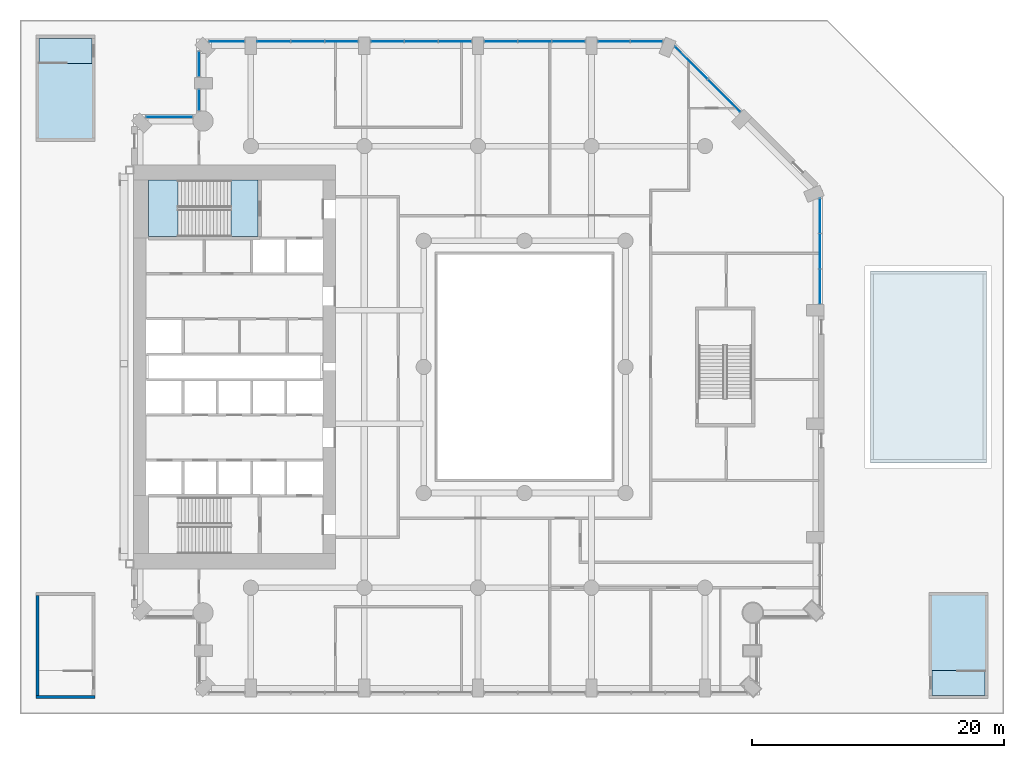
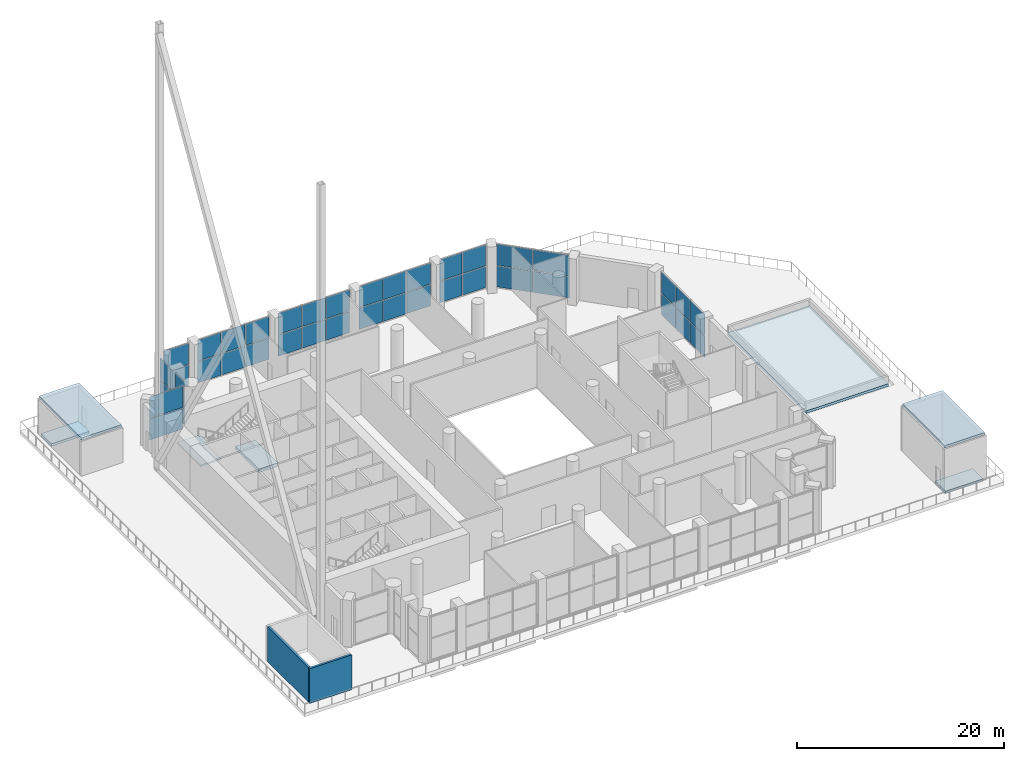
# One storey, part 12 of 26: 40 plates, 7 slabs, 2 walls, 11 elements without a shape of their own.
"""IFC4 building model written with IfcOpenShell, lengths in metres."""

from ifc_helpers import new_model, si_unit, direction, frame, frame_2d, origin, origin_2d, place, context, subcontext, project, spatial, polyline, rectangle, outline, extrude, material, layer, layer_set, type_object, element, aggregate, save


model = new_model("IFC4")

# Units and contexts
model_context = context("Model", 3, precision=1e-05, world=origin(), true_north=direction((0.0, 1.0)))
body_context = subcontext(model_context, "Body", "Model", "MODEL_VIEW")
ifc_project = project(units=[si_unit("LENGTHUNIT", "METRE"), si_unit("AREAUNIT", "SQUARE_METRE"), si_unit("VOLUMEUNIT", "CUBIC_METRE"), si_unit("PLANEANGLEUNIT", "RADIAN"), si_unit("MASSUNIT", "GRAM", prefix="KILO")], contexts=[model_context])

# Site, building, storey
site_placement = place(None, origin())
site = spatial("IfcSite", under=ifc_project, at=site_placement, CompositionType="ELEMENT")
building_placement = place(site_placement, origin())
building = spatial("IfcBuilding", under=site, at=building_placement, Name="Cypress Arch Tower", CompositionType="ELEMENT")
storey_placement = place(building_placement, frame((0.0, 0.0, 50.0)))
storey = spatial("IfcBuildingStorey", under=building, at=storey_placement, Name="L06", CompositionType="ELEMENT", Elevation=50.0)

# Slabs
ifc_material_1 = material(Name="Concrete C40/50", Category="concrete")
ifc_layer_1 = layer(ifc_material_1, 0.300048828125)
ifc_layer_set_1 = layer_set([ifc_layer_1], Name="Core floor CF300")
slab_type_1 = type_object("IfcSlabType", Name="Core floor CF300", PredefinedType="FLOOR", material=ifc_layer_set_1)
slab_1_placement = place(storey_placement, frame((0.0, 0.0, -0.300048828125)))
element("IfcSlab", 1, at=slab_1_placement, inside=storey, type_object=slab_type_1, Name="Stair floor landing", PredefinedType="FLOOR", context=body_context, shape_type="SweptSolid", body=[
    extrude(outline(polyline([(-37.5, 26.050048828125), (-37.5, 24.050048828125), (-33.300048828125, 24.050048828125), (-33.300048828125, 26.050048828125), (-37.5, 26.050048828125)])), origin(), (0.0, 0.0, 1.0), 0.300048828125),
])
slab_2_placement = place(storey_placement, frame((0.0, 0.0, -0.300048828125)))
element("IfcSlab", 2, at=slab_2_placement, inside=storey, type_object=slab_type_1, Name="Stair floor landing", PredefinedType="FLOOR", context=body_context, shape_type="SweptSolid", body=[
    extrude(outline(polyline([(37.5, -26.050048828125), (37.5, -24.050048828125), (33.300048828125, -24.050048828125), (33.300048828125, -26.050048828125), (37.5, -26.050048828125)])), origin(), (0.0, 0.0, 1.0), 0.300048828125),
])
ifc_material_2 = material(Name="Concrete C40/50", Category="concrete")
ifc_layer_2 = layer(ifc_material_2, 0.404052734375)
ifc_layer_set_2 = layer_set([ifc_layer_2], Name="Core floor CF404")
slab_type_2 = type_object("IfcSlabType", Name="Core floor CF404", PredefinedType="FLOOR", material=ifc_layer_set_2)
slab_3_placement = place(storey_placement, frame((0.0, 0.0, -0.404052734375)))
element("IfcSlab", 3, at=slab_3_placement, inside=storey, type_object=slab_type_2, Name="Core floor", PredefinedType="FLOOR", context=body_context, shape_type="SweptSolid", body=[
    extrude(outline(polyline([(-20.125, 14.800048828125), (-22.27490234375, 14.800048828125), (-22.27490234375, 10.324951171875), (-20.125, 10.324951171875), (-20.125, 14.800048828125)])), origin(), (0.0, 0.0, 1.0), 0.404052734375),
])
ifc_material_3 = material(Name="Concrete C50/60", Category="concrete")
ifc_layer_3 = layer(ifc_material_3, 0.300048828125)
ifc_layer_set_3 = layer_set([ifc_layer_3], Name="East core roof CR300")
slab_type_3 = type_object("IfcSlabType", Name="East core roof CR300", PredefinedType="ROOF", material=ifc_layer_set_3)
slab_4_placement = place(storey_placement, frame((0.0, 0.0, -0.300048828125)))
element("IfcSlab", 4, at=slab_4_placement, inside=storey, type_object=slab_type_3, Name="East core roof", PredefinedType="ROOF", context=body_context, shape_type="SweptSolid", body=[
    extrude(outline(polyline([(37.60009765625, -7.60009765625), (37.60009765625, 7.60009765625), (28.39990234375, 7.60009765625), (28.39990234375, -7.60009765625), (37.60009765625, -7.60009765625)])), origin(), (0.0, 0.0, 1.0), 0.300048828125),
])

# Curtain wall, plates
ifc_material_4 = material(Name="Anodised aluminium, bronze finish, solar control laminated double glazing", Category="aluminium")
curtain_wall_type = type_object("IfcCurtainWallType", Name="Curtain wall CW3 sky lobby glazing", PredefinedType="NOTDEFINED", material=ifc_material_4)
curtain_wall_1_placement = place(storey_placement, origin())
curtain_wall_1 = element("IfcCurtainWall", 5, at=curtain_wall_1_placement, inside=storey, type_object=curtain_wall_type, Name="Curtain wall L06 A06.3.1", PredefinedType="NOTDEFINED")
ifc_material_5 = material(Name="Solar control laminated double glazing", Category="glass")
ifc_layer_4 = layer(ifc_material_5, 0.0439453125)
ifc_layer_set_4 = layer_set([ifc_layer_4], Name="Glass panel CW3 44")
plate_type = type_object("IfcPlateType", Name="Glass panel CW3 44", PredefinedType="CURTAIN_PANEL", material=ifc_layer_set_4)
plate_1_placement = place(storey_placement, frame((24.39990234375, 6.375244140625, 0.0751953125), z_axis=(0.0, 0.0, 1.0), x_axis=(0.0, 1.0, 0.0)))
plate_1 = element("IfcPlate", 6, at=plate_1_placement, type_object=plate_type, Name="CW3 panel 1.1", PredefinedType="CURTAIN_PANEL", context=body_context, shape_type="SweptSolid", body=[
    extrude(rectangle(XDim=2.700439453125, YDim=0.0439453125, at=origin_2d()), origin(), (0.0, 0.0, 1.0), 2.487548828125),
])
plate_2_placement = place(storey_placement, frame((24.39990234375, 6.375244140625, 2.6376953125), z_axis=(0.0, 0.0, 1.0), x_axis=(0.0, 1.0, 0.0)))
plate_2 = element("IfcPlate", 7, at=plate_2_placement, type_object=plate_type, Name="CW3 panel 1.2", PredefinedType="CURTAIN_PANEL", context=body_context, shape_type="SweptSolid", body=[
    extrude(rectangle(XDim=2.700439453125, YDim=0.0439453125, at=origin_2d()), origin(), (0.0, 0.0, 1.0), 2.487548828125),
])
plate_3_placement = place(storey_placement, frame((24.39990234375, 9.16943359375, 0.0751953125), z_axis=(0.0, 0.0, 1.0), x_axis=(0.0, 1.0, 0.0)))
plate_3 = element("IfcPlate", 8, at=plate_3_placement, type_object=plate_type, Name="CW3 panel 2.1", PredefinedType="CURTAIN_PANEL", context=body_context, shape_type="SweptSolid", body=[
    extrude(rectangle(XDim=2.73779296875, YDim=0.0439453125, at=origin_2d()), origin(), (0.0, 0.0, 1.0), 2.487548828125),
])
plate_4_placement = place(storey_placement, frame((24.39990234375, 9.16943359375, 2.6376953125), z_axis=(0.0, 0.0, 1.0), x_axis=(0.0, 1.0, 0.0)))
plate_4 = element("IfcPlate", 9, at=plate_4_placement, type_object=plate_type, Name="CW3 panel 2.2", PredefinedType="CURTAIN_PANEL", context=body_context, shape_type="SweptSolid", body=[
    extrude(rectangle(XDim=2.73779296875, YDim=0.0439453125, at=origin_2d()), origin(), (0.0, 0.0, 1.0), 2.487548828125),
])
plate_5_placement = place(storey_placement, frame((24.39990234375, 11.96337890625, 0.0751953125), z_axis=(0.0, 0.0, 1.0), x_axis=(0.0, 1.0, 0.0)))
plate_5 = element("IfcPlate", 10, at=plate_5_placement, type_object=plate_type, Name="CW3 panel 3.1", PredefinedType="CURTAIN_PANEL", context=body_context, shape_type="SweptSolid", body=[
    extrude(rectangle(XDim=2.700439453125, YDim=0.0439453125, at=origin_2d()), origin(), (0.0, 0.0, 1.0), 2.487548828125),
])
plate_6_placement = place(storey_placement, frame((24.39990234375, 11.96337890625, 2.6376953125), z_axis=(0.0, 0.0, 1.0), x_axis=(0.0, 1.0, 0.0)))
plate_6 = element("IfcPlate", 11, at=plate_6_placement, type_object=plate_type, Name="CW3 panel 3.2", PredefinedType="CURTAIN_PANEL", context=body_context, shape_type="SweptSolid", body=[
    extrude(rectangle(XDim=2.700439453125, YDim=0.0439453125, at=origin_2d()), origin(), (0.0, 0.0, 1.0), 2.487548828125),
])
aggregate(curtain_wall_1, [plate_1, plate_2, plate_3, plate_4, plate_5, plate_6])

curtain_wall_2_placement = place(storey_placement, origin())
curtain_wall_2 = element("IfcCurtainWall", 12, at=curtain_wall_2_placement, inside=storey, type_object=curtain_wall_type, Name="Curtain wall L06 A07.1.1", PredefinedType="NOTDEFINED")
plate_7_placement = place(storey_placement, frame((16.814697265625, 21.50244140625, 0.0751953125), z_axis=(0.0, 0.0, 1.0), x_axis=(-0.707106781187, 0.707106781187, 0.0)))
plate_7 = element("IfcPlate", 13, at=plate_7_placement, type_object=plate_type, Name="CW3 panel 1.1", PredefinedType="CURTAIN_PANEL", context=body_context, shape_type="SweptSolid", body=[
    extrude(rectangle(XDim=3.599365234375, YDim=0.0439453125, at=origin_2d()), origin(), (0.0, 0.0, 1.0), 2.487548828125),
])
plate_8_placement = place(storey_placement, frame((16.814697265625, 21.50244140625, 2.6376953125), z_axis=(0.0, 0.0, 1.0), x_axis=(-0.707106781187, 0.707106781187, 0.0)))
plate_8 = element("IfcPlate", 14, at=plate_8_placement, type_object=plate_type, Name="CW3 panel 1.2", PredefinedType="CURTAIN_PANEL", context=body_context, shape_type="SweptSolid", body=[
    extrude(rectangle(XDim=3.599365234375, YDim=0.0439453125, at=origin_2d()), origin(), (0.0, 0.0, 1.0), 2.487548828125),
])
plate_9_placement = place(storey_placement, frame((14.216552734375, 24.1005859375, 0.0751953125), z_axis=(0.0, 0.0, 1.0), x_axis=(-0.707106781187, 0.707106781187, 0.0)))
plate_9 = element("IfcPlate", 15, at=plate_9_placement, type_object=plate_type, Name="CW3 panel 2.1", PredefinedType="CURTAIN_PANEL", context=body_context, shape_type="SweptSolid", body=[
    extrude(rectangle(XDim=3.599365234375, YDim=0.0439453125, at=origin_2d()), origin(), (0.0, 0.0, 1.0), 2.487548828125),
])
plate_10_placement = place(storey_placement, frame((14.216552734375, 24.1005859375, 2.6376953125), z_axis=(0.0, 0.0, 1.0), x_axis=(-0.707106781187, 0.707106781187, 0.0)))
plate_10 = element("IfcPlate", 16, at=plate_10_placement, type_object=plate_type, Name="CW3 panel 2.2", PredefinedType="CURTAIN_PANEL", context=body_context, shape_type="SweptSolid", body=[
    extrude(rectangle(XDim=3.599365234375, YDim=0.0439453125, at=origin_2d()), origin(), (0.0, 0.0, 1.0), 2.487548828125),
])
aggregate(curtain_wall_2, [plate_7, plate_8, plate_9, plate_10])

curtain_wall_3_placement = place(storey_placement, origin())
curtain_wall_3 = element("IfcCurtainWall", 17, at=curtain_wall_3_placement, inside=storey, type_object=curtain_wall_type, Name="Curtain wall L06 A08.0.1", PredefinedType="NOTDEFINED")
plate_11_placement = place(storey_placement, frame((10.66015625, 25.800048828125, 0.0751953125), z_axis=(0.0, 0.0, 1.0), x_axis=(-1.0, 0.0, 0.0)))
plate_11 = element("IfcPlate", 18, at=plate_11_placement, type_object=plate_type, Name="CW3 panel 1.1", PredefinedType="CURTAIN_PANEL", context=body_context, shape_type="SweptSolid", body=[
    extrude(rectangle(XDim=2.5068359375, YDim=0.0439453125, at=origin_2d()), origin(), (0.0, 0.0, 1.0), 2.487548828125),
])
plate_12_placement = place(storey_placement, frame((10.66015625, 25.800048828125, 2.6376953125), z_axis=(0.0, 0.0, 1.0), x_axis=(-1.0, 0.0, 0.0)))
plate_12 = element("IfcPlate", 19, at=plate_12_placement, type_object=plate_type, Name="CW3 panel 1.2", PredefinedType="CURTAIN_PANEL", context=body_context, shape_type="SweptSolid", body=[
    extrude(rectangle(XDim=2.5068359375, YDim=0.0439453125, at=origin_2d()), origin(), (0.0, 0.0, 1.0), 2.487548828125),
])
plate_13_placement = place(storey_placement, frame((8.078369140625, 25.800048828125, 0.0751953125), z_axis=(0.0, 0.0, 1.0), x_axis=(-1.0, 0.0, 0.0)))
plate_13 = element("IfcPlate", 20, at=plate_13_placement, type_object=plate_type, Name="CW3 panel 2.1", PredefinedType="CURTAIN_PANEL", context=body_context, shape_type="SweptSolid", body=[
    extrude(rectangle(XDim=2.5068359375, YDim=0.0439453125, at=origin_2d()), origin(), (0.0, 0.0, 1.0), 2.487548828125),
])
plate_14_placement = place(storey_placement, frame((8.078369140625, 25.800048828125, 2.6376953125), z_axis=(0.0, 0.0, 1.0), x_axis=(-1.0, 0.0, 0.0)))
plate_14 = element("IfcPlate", 21, at=plate_14_placement, type_object=plate_type, Name="CW3 panel 2.2", PredefinedType="CURTAIN_PANEL", context=body_context, shape_type="SweptSolid", body=[
    extrude(rectangle(XDim=2.5068359375, YDim=0.0439453125, at=origin_2d()), origin(), (0.0, 0.0, 1.0), 2.487548828125),
])
aggregate(curtain_wall_3, [plate_11, plate_12, plate_13, plate_14])

curtain_wall_4_placement = place(storey_placement, origin())
curtain_wall_4 = element("IfcCurtainWall", 22, at=curtain_wall_4_placement, inside=storey, type_object=curtain_wall_type, Name="Curtain wall L06 A08.1.1", PredefinedType="NOTDEFINED")
plate_15_placement = place(storey_placement, frame((4.481201171875, 25.800048828125, 0.0751953125), z_axis=(0.0, 0.0, 1.0), x_axis=(-1.0, 0.0, 0.0)))
plate_15 = element("IfcPlate", 23, at=plate_15_placement, type_object=plate_type, Name="CW3 panel 1.1", PredefinedType="CURTAIN_PANEL", context=body_context, shape_type="SweptSolid", body=[
    extrude(rectangle(XDim=2.58740234375, YDim=0.0439453125, at=origin_2d()), origin(), (0.0, 0.0, 1.0), 2.487548828125),
])
plate_16_placement = place(storey_placement, frame((4.481201171875, 25.800048828125, 2.6376953125), z_axis=(0.0, 0.0, 1.0), x_axis=(-1.0, 0.0, 0.0)))
plate_16 = element("IfcPlate", 24, at=plate_16_placement, type_object=plate_type, Name="CW3 panel 1.2", PredefinedType="CURTAIN_PANEL", context=body_context, shape_type="SweptSolid", body=[
    extrude(rectangle(XDim=2.58740234375, YDim=0.0439453125, at=origin_2d()), origin(), (0.0, 0.0, 1.0), 2.487548828125),
])
plate_17_placement = place(storey_placement, frame((1.800048828125, 25.800048828125, 0.0751953125), z_axis=(0.0, 0.0, 1.0), x_axis=(-1.0, 0.0, 0.0)))
plate_17 = element("IfcPlate", 25, at=plate_17_placement, type_object=plate_type, Name="CW3 panel 2.1", PredefinedType="CURTAIN_PANEL", context=body_context, shape_type="SweptSolid", body=[
    extrude(rectangle(XDim=2.625, YDim=0.0439453125, at=origin_2d()), origin(), (0.0, 0.0, 1.0), 2.487548828125),
])
plate_18_placement = place(storey_placement, frame((1.800048828125, 25.800048828125, 2.6376953125), z_axis=(0.0, 0.0, 1.0), x_axis=(-1.0, 0.0, 0.0)))
plate_18 = element("IfcPlate", 26, at=plate_18_placement, type_object=plate_type, Name="CW3 panel 2.2", PredefinedType="CURTAIN_PANEL", context=body_context, shape_type="SweptSolid", body=[
    extrude(rectangle(XDim=2.625, YDim=0.0439453125, at=origin_2d()), origin(), (0.0, 0.0, 1.0), 2.487548828125),
])
plate_19_placement = place(storey_placement, frame((-0.88134765625, 25.800048828125, 0.0751953125), z_axis=(0.0, 0.0, 1.0), x_axis=(-1.0, 0.0, 0.0)))
plate_19 = element("IfcPlate", 27, at=plate_19_placement, type_object=plate_type, Name="CW3 panel 3.1", PredefinedType="CURTAIN_PANEL", context=body_context, shape_type="SweptSolid", body=[
    extrude(rectangle(XDim=2.58740234375, YDim=0.0439453125, at=origin_2d()), origin(), (0.0, 0.0, 1.0), 2.487548828125),
])
plate_20_placement = place(storey_placement, frame((-0.88134765625, 25.800048828125, 2.6376953125), z_axis=(0.0, 0.0, 1.0), x_axis=(-1.0, 0.0, 0.0)))
plate_20 = element("IfcPlate", 28, at=plate_20_placement, type_object=plate_type, Name="CW3 panel 3.2", PredefinedType="CURTAIN_PANEL", context=body_context, shape_type="SweptSolid", body=[
    extrude(rectangle(XDim=2.58740234375, YDim=0.0439453125, at=origin_2d()), origin(), (0.0, 0.0, 1.0), 2.487548828125),
])
aggregate(curtain_wall_4, [plate_15, plate_16, plate_17, plate_18, plate_19, plate_20])

curtain_wall_5_placement = place(storey_placement, origin())
curtain_wall_5 = element("IfcCurtainWall", 29, at=curtain_wall_5_placement, inside=storey, type_object=curtain_wall_type, Name="Curtain wall L06 A08.2.1", PredefinedType="NOTDEFINED")
plate_21_placement = place(storey_placement, frame((-4.518798828125, 25.800048828125, 0.0751953125), z_axis=(0.0, 0.0, 1.0), x_axis=(-1.0, 0.0, 0.0)))
plate_21 = element("IfcPlate", 30, at=plate_21_placement, type_object=plate_type, Name="CW3 panel 1.1", PredefinedType="CURTAIN_PANEL", context=body_context, shape_type="SweptSolid", body=[
    extrude(rectangle(XDim=2.58740234375, YDim=0.0439453125, at=origin_2d()), origin(), (0.0, 0.0, 1.0), 2.487548828125),
])
plate_22_placement = place(storey_placement, frame((-4.518798828125, 25.800048828125, 2.6376953125), z_axis=(0.0, 0.0, 1.0), x_axis=(-1.0, 0.0, 0.0)))
plate_22 = element("IfcPlate", 31, at=plate_22_placement, type_object=plate_type, Name="CW3 panel 1.2", PredefinedType="CURTAIN_PANEL", context=body_context, shape_type="SweptSolid", body=[
    extrude(rectangle(XDim=2.58740234375, YDim=0.0439453125, at=origin_2d()), origin(), (0.0, 0.0, 1.0), 2.487548828125),
])
plate_23_placement = place(storey_placement, frame((-7.199951171875, 25.800048828125, 0.0751953125), z_axis=(0.0, 0.0, 1.0), x_axis=(-1.0, 0.0, 0.0)))
plate_23 = element("IfcPlate", 32, at=plate_23_placement, type_object=plate_type, Name="CW3 panel 2.1", PredefinedType="CURTAIN_PANEL", context=body_context, shape_type="SweptSolid", body=[
    extrude(rectangle(XDim=2.625, YDim=0.0439453125, at=origin_2d()), origin(), (0.0, 0.0, 1.0), 2.487548828125),
])
plate_24_placement = place(storey_placement, frame((-7.199951171875, 25.800048828125, 2.6376953125), z_axis=(0.0, 0.0, 1.0), x_axis=(-1.0, 0.0, 0.0)))
plate_24 = element("IfcPlate", 33, at=plate_24_placement, type_object=plate_type, Name="CW3 panel 2.2", PredefinedType="CURTAIN_PANEL", context=body_context, shape_type="SweptSolid", body=[
    extrude(rectangle(XDim=2.625, YDim=0.0439453125, at=origin_2d()), origin(), (0.0, 0.0, 1.0), 2.487548828125),
])
plate_25_placement = place(storey_placement, frame((-9.88134765625, 25.800048828125, 0.0751953125), z_axis=(0.0, 0.0, 1.0), x_axis=(-1.0, 0.0, 0.0)))
plate_25 = element("IfcPlate", 34, at=plate_25_placement, type_object=plate_type, Name="CW3 panel 3.1", PredefinedType="CURTAIN_PANEL", context=body_context, shape_type="SweptSolid", body=[
    extrude(rectangle(XDim=2.58740234375, YDim=0.0439453125, at=origin_2d()), origin(), (0.0, 0.0, 1.0), 2.487548828125),
])
plate_26_placement = place(storey_placement, frame((-9.88134765625, 25.800048828125, 2.6376953125), z_axis=(0.0, 0.0, 1.0), x_axis=(-1.0, 0.0, 0.0)))
plate_26 = element("IfcPlate", 35, at=plate_26_placement, type_object=plate_type, Name="CW3 panel 3.2", PredefinedType="CURTAIN_PANEL", context=body_context, shape_type="SweptSolid", body=[
    extrude(rectangle(XDim=2.58740234375, YDim=0.0439453125, at=origin_2d()), origin(), (0.0, 0.0, 1.0), 2.487548828125),
])
aggregate(curtain_wall_5, [plate_21, plate_22, plate_23, plate_24, plate_25, plate_26])

curtain_wall_6_placement = place(storey_placement, origin())
curtain_wall_6 = element("IfcCurtainWall", 36, at=curtain_wall_6_placement, inside=storey, type_object=curtain_wall_type, Name="Curtain wall L06 A08.3.1", PredefinedType="NOTDEFINED")
plate_27_placement = place(storey_placement, frame((-13.518798828125, 25.800048828125, 0.0751953125), z_axis=(0.0, 0.0, 1.0), x_axis=(-1.0, 0.0, 0.0)))
plate_27 = element("IfcPlate", 37, at=plate_27_placement, type_object=plate_type, Name="CW3 panel 1.1", PredefinedType="CURTAIN_PANEL", context=body_context, shape_type="SweptSolid", body=[
    extrude(rectangle(XDim=2.58740234375, YDim=0.0439453125, at=origin_2d()), origin(), (0.0, 0.0, 1.0), 2.487548828125),
])
plate_28_placement = place(storey_placement, frame((-13.518798828125, 25.800048828125, 2.6376953125), z_axis=(0.0, 0.0, 1.0), x_axis=(-1.0, 0.0, 0.0)))
plate_28 = element("IfcPlate", 38, at=plate_28_placement, type_object=plate_type, Name="CW3 panel 1.2", PredefinedType="CURTAIN_PANEL", context=body_context, shape_type="SweptSolid", body=[
    extrude(rectangle(XDim=2.58740234375, YDim=0.0439453125, at=origin_2d()), origin(), (0.0, 0.0, 1.0), 2.487548828125),
])
plate_29_placement = place(storey_placement, frame((-16.199951171875, 25.800048828125, 0.0751953125), z_axis=(0.0, 0.0, 1.0), x_axis=(-1.0, 0.0, 0.0)))
plate_29 = element("IfcPlate", 39, at=plate_29_placement, type_object=plate_type, Name="CW3 panel 2.1", PredefinedType="CURTAIN_PANEL", context=body_context, shape_type="SweptSolid", body=[
    extrude(rectangle(XDim=2.625, YDim=0.0439453125, at=origin_2d()), origin(), (0.0, 0.0, 1.0), 2.487548828125),
])
plate_30_placement = place(storey_placement, frame((-16.199951171875, 25.800048828125, 2.6376953125), z_axis=(0.0, 0.0, 1.0), x_axis=(-1.0, 0.0, 0.0)))
plate_30 = element("IfcPlate", 40, at=plate_30_placement, type_object=plate_type, Name="CW3 panel 2.2", PredefinedType="CURTAIN_PANEL", context=body_context, shape_type="SweptSolid", body=[
    extrude(rectangle(XDim=2.625, YDim=0.0439453125, at=origin_2d()), origin(), (0.0, 0.0, 1.0), 2.487548828125),
])
plate_31_placement = place(storey_placement, frame((-18.88134765625, 25.800048828125, 0.0751953125), z_axis=(0.0, 0.0, 1.0), x_axis=(-1.0, 0.0, 0.0)))
plate_31 = element("IfcPlate", 41, at=plate_31_placement, type_object=plate_type, Name="CW3 panel 3.1", PredefinedType="CURTAIN_PANEL", context=body_context, shape_type="SweptSolid", body=[
    extrude(rectangle(XDim=2.58740234375, YDim=0.0439453125, at=origin_2d()), origin(), (0.0, 0.0, 1.0), 2.487548828125),
])
plate_32_placement = place(storey_placement, frame((-18.88134765625, 25.800048828125, 2.6376953125), z_axis=(0.0, 0.0, 1.0), x_axis=(-1.0, 0.0, 0.0)))
plate_32 = element("IfcPlate", 42, at=plate_32_placement, type_object=plate_type, Name="CW3 panel 3.2", PredefinedType="CURTAIN_PANEL", context=body_context, shape_type="SweptSolid", body=[
    extrude(rectangle(XDim=2.58740234375, YDim=0.0439453125, at=origin_2d()), origin(), (0.0, 0.0, 1.0), 2.487548828125),
])
aggregate(curtain_wall_6, [plate_27, plate_28, plate_29, plate_30, plate_31, plate_32])

curtain_wall_7_placement = place(storey_placement, origin())
curtain_wall_7 = element("IfcCurtainWall", 43, at=curtain_wall_7_placement, inside=storey, type_object=curtain_wall_type, Name="Curtain wall L06 A08.4.1", PredefinedType="NOTDEFINED")
plate_33_placement = place(storey_placement, frame((-22.606689453125, 25.800048828125, 0.0751953125), z_axis=(0.0, 0.0, 1.0), x_axis=(-1.0, 0.0, 0.0)))
plate_33 = element("IfcPlate", 44, at=plate_33_placement, type_object=plate_type, Name="CW3 panel 1.1", PredefinedType="CURTAIN_PANEL", context=body_context, shape_type="SweptSolid", body=[
    extrude(rectangle(XDim=2.763671875, YDim=0.0439453125, at=origin_2d()), origin(), (0.0, 0.0, 1.0), 2.487548828125),
])
plate_34_placement = place(storey_placement, frame((-22.606689453125, 25.800048828125, 2.6376953125), z_axis=(0.0, 0.0, 1.0), x_axis=(-1.0, 0.0, 0.0)))
plate_34 = element("IfcPlate", 45, at=plate_34_placement, type_object=plate_type, Name="CW3 panel 1.2", PredefinedType="CURTAIN_PANEL", context=body_context, shape_type="SweptSolid", body=[
    extrude(rectangle(XDim=2.763671875, YDim=0.0439453125, at=origin_2d()), origin(), (0.0, 0.0, 1.0), 2.487548828125),
])
aggregate(curtain_wall_7, [plate_33, plate_34])

curtain_wall_8_placement = place(storey_placement, origin())
curtain_wall_8 = element("IfcCurtainWall", 46, at=curtain_wall_8_placement, inside=storey, type_object=curtain_wall_type, Name="Curtain wall L06 A09.0.1", PredefinedType="NOTDEFINED")
plate_35_placement = place(storey_placement, frame((-24.800048828125, 24.0068359375, 0.0751953125), z_axis=(0.0, 0.0, 1.0), x_axis=(0.0, -1.0, 0.0)))
plate_35 = element("IfcPlate", 47, at=plate_35_placement, type_object=plate_type, Name="CW3 panel 1.1", PredefinedType="CURTAIN_PANEL", context=body_context, shape_type="SweptSolid", body=[
    extrude(rectangle(XDim=1.963623046875, YDim=0.0439453125, at=origin_2d()), origin(), (0.0, 0.0, 1.0), 2.487548828125),
])
plate_36_placement = place(storey_placement, frame((-24.800048828125, 24.0068359375, 2.6376953125), z_axis=(0.0, 0.0, 1.0), x_axis=(0.0, -1.0, 0.0)))
plate_36 = element("IfcPlate", 48, at=plate_36_placement, type_object=plate_type, Name="CW3 panel 1.2", PredefinedType="CURTAIN_PANEL", context=body_context, shape_type="SweptSolid", body=[
    extrude(rectangle(XDim=1.963623046875, YDim=0.0439453125, at=origin_2d()), origin(), (0.0, 0.0, 1.0), 2.487548828125),
])
aggregate(curtain_wall_8, [plate_35, plate_36])

curtain_wall_9_placement = place(storey_placement, origin())
curtain_wall_9 = element("IfcCurtainWall", 49, at=curtain_wall_9_placement, inside=storey, type_object=curtain_wall_type, Name="Curtain wall L06 A09.1.1", PredefinedType="NOTDEFINED")
plate_37_placement = place(storey_placement, frame((-24.800048828125, 21.154296875, 0.0751953125), z_axis=(0.0, 0.0, 1.0), x_axis=(0.0, -1.0, 0.0)))
plate_37 = element("IfcPlate", 50, at=plate_37_placement, type_object=plate_type, Name="CW3 panel 1.1", PredefinedType="CURTAIN_PANEL", context=body_context, shape_type="SweptSolid", body=[
    extrude(rectangle(XDim=1.6416015625, YDim=0.0439453125, at=origin_2d()), origin(), (0.0, 0.0, 1.0), 2.487548828125),
])
plate_38_placement = place(storey_placement, frame((-24.800048828125, 21.154296875, 2.6376953125), z_axis=(0.0, 0.0, 1.0), x_axis=(0.0, -1.0, 0.0)))
plate_38 = element("IfcPlate", 51, at=plate_38_placement, type_object=plate_type, Name="CW3 panel 1.2", PredefinedType="CURTAIN_PANEL", context=body_context, shape_type="SweptSolid", body=[
    extrude(rectangle(XDim=1.6416015625, YDim=0.0439453125, at=origin_2d()), origin(), (0.0, 0.0, 1.0), 2.487548828125),
])
aggregate(curtain_wall_9, [plate_37, plate_38])

curtain_wall_10_placement = place(storey_placement, origin())
curtain_wall_10 = element("IfcCurtainWall", 52, at=curtain_wall_10_placement, inside=storey, type_object=curtain_wall_type, Name="Curtain wall L06 A10.0.1", PredefinedType="NOTDEFINED")
plate_39_placement = place(storey_placement, frame((-27.1611328125, 19.800048828125, 0.0751953125), z_axis=(0.0, 0.0, 1.0), x_axis=(-1.0, 0.0, 0.0)))
plate_39 = element("IfcPlate", 53, at=plate_39_placement, type_object=plate_type, Name="CW3 panel 1.1", PredefinedType="CURTAIN_PANEL", context=body_context, shape_type="SweptSolid", body=[
    extrude(rectangle(XDim=3.655029296875, YDim=0.0439453125, at=origin_2d()), origin(), (0.0, 0.0, 1.0), 2.487548828125),
])
plate_40_placement = place(storey_placement, frame((-27.1611328125, 19.800048828125, 2.6376953125), z_axis=(0.0, 0.0, 1.0), x_axis=(-1.0, 0.0, 0.0)))
plate_40 = element("IfcPlate", 54, at=plate_40_placement, type_object=plate_type, Name="CW3 panel 1.2", PredefinedType="CURTAIN_PANEL", context=body_context, shape_type="SweptSolid", body=[
    extrude(rectangle(XDim=3.655029296875, YDim=0.0439453125, at=origin_2d()), origin(), (0.0, 0.0, 1.0), 2.487548828125),
])
aggregate(curtain_wall_10, [plate_39, plate_40])

# Slabs
ifc_material_6 = material(Name="Concrete C40/50", Category="concrete")
ifc_layer_5 = layer(ifc_material_6, 0.300048828125)
ifc_layer_set_5 = layer_set([ifc_layer_5], Name="Stair head-house roof SR")
slab_type_4 = type_object("IfcSlabType", Name="Stair head-house roof SR", PredefinedType="ROOF", material=ifc_layer_set_5)
slab_5_placement = place(storey_placement, frame((0.0, 0.0, 4.10009765625)))
element("IfcSlab", 55, at=slab_5_placement, inside=storey, type_object=slab_type_4, Name="Stair head-house roof P2", PredefinedType="ROOF", context=body_context, shape_type="SweptSolid", body=[
    extrude(outline(polyline([(-33.175048828125, 18.0048828125), (-33.175048828125, 26.175048828125), (-37.625, 26.175048828125), (-37.625, 18.0048828125), (-33.175048828125, 18.0048828125)])), origin(), (0.0, 0.0, 1.0), 0.2998046875),
])
slab_6_placement = place(storey_placement, frame((0.0, 0.0, 5.199951171875)))
element("IfcSlab", 56, at=slab_6_placement, inside=storey, type_object=slab_type_4, Name="Stair head-house roof P4", PredefinedType="ROOF", context=body_context, shape_type="SweptSolid", body=[
    extrude(outline(polyline([(37.625, -26.175048828125), (37.625, -18.0048828125), (33.175048828125, -18.0048828125), (33.175048828125, -26.175048828125), (37.625, -26.175048828125)])), origin(), (0.0, 0.0, 1.0), 0.300048828125),
])

# Stair, slab
ifc_material_7 = material(Name="Concrete C40/50", Category="concrete")
stair_type = type_object("IfcStairType", Name="Exit stair ES1719-215", PredefinedType="HALF_TURN_STAIR", material=ifc_material_7)
stair_placement = place(storey_placement, origin())
stair = element("IfcStair", 57, at=stair_placement, inside=storey, type_object=stair_type, Name="L06 Exit stair B", PredefinedType="HALF_TURN_STAIR")
ifc_material_8 = material(Name="Concrete C40/50", Category="concrete")
ifc_layer_6 = layer(ifc_material_8, 0.199951171875)
ifc_layer_set_6 = layer_set([ifc_layer_6], Name="Stair landing SL200")
slab_type_5 = type_object("IfcSlabType", Name="Stair landing SL200", PredefinedType="LANDING", material=ifc_layer_set_6)
slab_7_placement = place(storey_placement, frame((0.0, 0.0, 2.550048828125)))
slab_7 = element("IfcSlab", 58, at=slab_7_placement, type_object=slab_type_5, Name="B landing 1", PredefinedType="LANDING", context=body_context, shape_type="SweptSolid", body=[
    extrude(outline(polyline([(-26.47509765625, 14.800048828125), (-28.800048828125, 14.800048828125), (-28.800048828125, 10.324951171875), (-26.47509765625, 10.324951171875), (-26.47509765625, 14.800048828125)])), origin(), (0.0, 0.0, 1.0), 0.199951171875),
])
aggregate(stair, [slab_7])

# Walls
ifc_material_9 = material(Name="Concrete C50/60", Category="concrete")
ifc_layer_7 = layer(ifc_material_9, 0.25)
ifc_layer_set_7 = layer_set([ifc_layer_7], Name="Stair enclosure wall SW250")
wall_type = type_object("IfcWallType", Name="Stair enclosure wall SW250", PredefinedType="SHEAR", material=ifc_layer_set_7)
wall_1_placement = place(storey_placement, frame((-37.625, -26.050048828125, 0.0), z_axis=(0.0, 0.0, 1.0), x_axis=(0.0, 1.0, 0.0)))
element("IfcWall", 59, at=wall_1_placement, inside=storey, type_object=wall_type, Name="Stair enclosure wall", PredefinedType="SHEAR", context=body_context, shape_type="SweptSolid", body=[
    extrude(rectangle(XDim=7.920166015625, YDim=0.25, at=frame_2d((3.9599609375, 0.0))), origin(), (0.0, 0.0, 1.0), 4.10009765625),
])
wall_2_placement = place(storey_placement, frame((-37.75, -26.175048828125, 0.0), z_axis=(0.0, 0.0, 1.0), x_axis=(1.0, 0.0, 0.0)))
element("IfcWall", 60, at=wall_2_placement, inside=storey, type_object=wall_type, Name="Stair enclosure wall", PredefinedType="SHEAR", context=body_context, shape_type="SweptSolid", body=[
    extrude(rectangle(XDim=4.699951171875, YDim=0.25, at=frame_2d((2.35009765625, 0.0))), origin(), (0.0, 0.0, 1.0), 4.10009765625),
])

save(model, "model.ifc")
